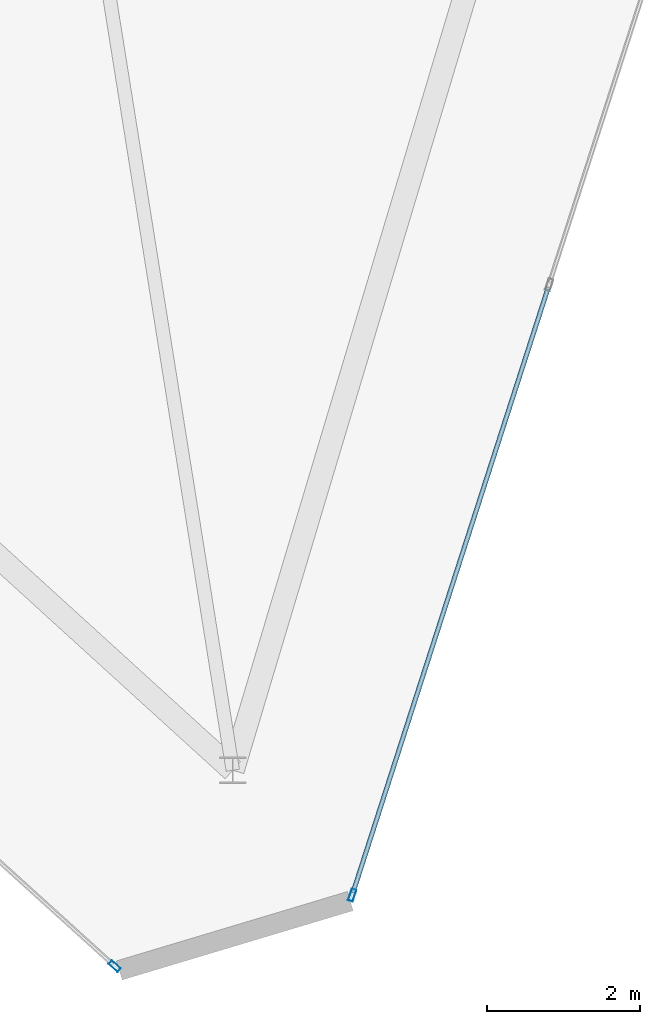
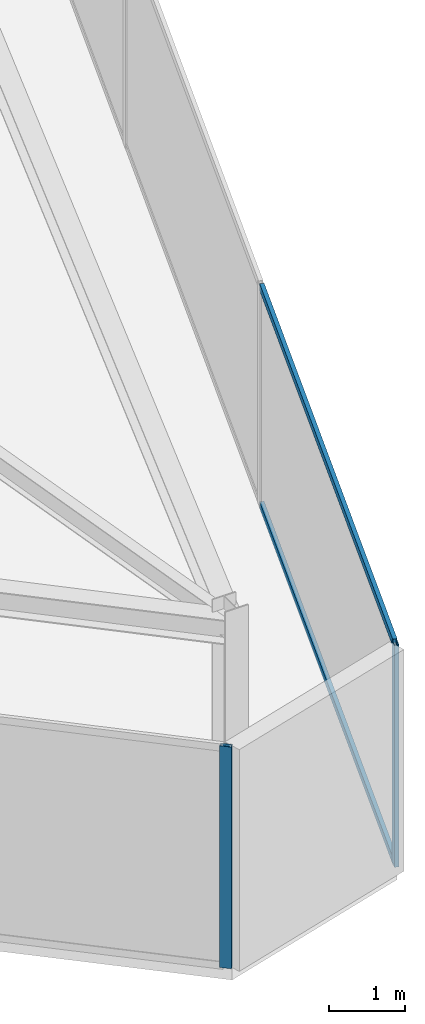
# One storey, part 5 of 15: 4 members, 2 elements without a shape of their own.
"""IFC4 building model written with IfcOpenShell, lengths in metres."""

from ifc_helpers import new_model, si_unit, direction, frame, origin, origin_2d, place, context, subcontext, project, spatial, hollow_rectangle, extrude, material, layer, layer_set, material_profile, profile_set, type_object, element, aggregate, save


model = new_model("IFC4")

# Units and contexts
model_context = context("Model", 3, precision=1e-05, world=origin(), true_north=direction((0.0, 1.0)))
body_context = subcontext(model_context, "Body", "Model", "MODEL_VIEW")
ifc_project = project(units=[si_unit("LENGTHUNIT", "METRE"), si_unit("AREAUNIT", "SQUARE_METRE"), si_unit("VOLUMEUNIT", "CUBIC_METRE"), si_unit("PLANEANGLEUNIT", "RADIAN"), si_unit("MASSUNIT", "GRAM", prefix="KILO")], contexts=[model_context])

# Site, building, storey
site_placement = place(None, origin())
site = spatial("IfcSite", under=ifc_project, at=site_placement, CompositionType="ELEMENT")
building_placement = place(site_placement, origin())
building = spatial("IfcBuilding", under=site, at=building_placement, Name="Qianvela Tower", CompositionType="ELEMENT")
storey_placement = place(building_placement, frame((0.0, 0.0, 360.050048828125)))
storey = spatial("IfcBuildingStorey", under=building, at=storey_placement, Name="L93", CompositionType="ELEMENT", Elevation=360.050048828125)

# Curtain wall, member
ifc_material_1 = material(Name="Anodised Architectural Aluminium and Low-E Glass", Category="aluminium")
ifc_layer = layer(ifc_material_1, 0.159912109375)
ifc_layer_set = layer_set([ifc_layer], Name="Anodised Architectural Aluminium and Low-E Glass")
curtain_wall_type = type_object("IfcCurtainWallType", Name="CW-CROWN", PredefinedType="USERDEFINED", material=ifc_layer_set)
curtain_wall_1_placement = place(storey_placement, origin())
curtain_wall_1 = element("IfcCurtainWall", 1, at=curtain_wall_1_placement, inside=storey, type_object=curtain_wall_type, Name="L93 CW-CROWN Curtain Wall 04", ObjectType="CURTAIN_WALL_SYSTEM", PredefinedType="USERDEFINED")
ifc_material_2 = material(Name="Anodised Architectural Aluminium 6063-T6", Category="aluminium")
ifc_material_profile_1 = material_profile(ifc_material_2, hollow_rectangle(XDim=0.06494140625, YDim=0.159912109375, WallThickness=0.0048828125, at=origin_2d()), Name="ALU-MULL-65x160")
ifc_profile_set_1 = profile_set([ifc_material_profile_1], Name="Anodised Architectural Aluminium 6063-T6")
member_type_1 = type_object("IfcMemberType", Name="CW-CROWN-MULL", PredefinedType="MULLION", material=ifc_profile_set_1)
member_1_placement = place(storey_placement, frame((39.060546875, 7.466552734375, 0.0), z_axis=(0.0, 0.0, 1.0), x_axis=(0.671200977074, 0.741275420053, 0.0)))
member_1 = element("IfcMember", 2, at=member_1_placement, type_object=member_type_1, Name="CW-8 mullion 4", PredefinedType="MULLION", context=body_context, shape_type="SweptSolid", body=[
    extrude(hollow_rectangle(XDim=0.06494140625, YDim=0.159912109375, WallThickness=0.0048828125, at=origin_2d()), origin(), (0.0, 0.0, 1.0), 3.550048828125),
])
aggregate(curtain_wall_1, [member_1])

# Curtain wall, members
curtain_wall_2_placement = place(storey_placement, origin())
curtain_wall_2 = element("IfcCurtainWall", 3, at=curtain_wall_2_placement, inside=storey, type_object=curtain_wall_type, Name="L93 CW-CROWN Curtain Wall 06", ObjectType="CURTAIN_WALL_SYSTEM", PredefinedType="USERDEFINED")
member_2_placement = place(storey_placement, frame((42.16455078125, 8.39501953125, 0.0), z_axis=(0.0, 0.0, 1.0), x_axis=(-0.951691135027, 0.307056971117, 0.0)))
member_2 = element("IfcMember", 4, at=member_2_placement, type_object=member_type_1, Name="CW-8 mullion 1", PredefinedType="MULLION", context=body_context, shape_type="SweptSolid", body=[
    extrude(hollow_rectangle(XDim=0.06494140625, YDim=0.159912109375, WallThickness=0.0048828125, at=origin_2d()), origin(), (0.0, 0.0, 1.0), 3.550048828125),
])
ifc_material_3 = material(Name="Anodised Architectural Aluminium 6063-T6", Category="aluminium")
ifc_material_profile_2 = material_profile(ifc_material_3, hollow_rectangle(XDim=0.06005859375, YDim=0.114990234375, WallThickness=0.00390625, at=origin_2d()), Name="ALU-TRAN-60x115")
ifc_profile_set_2 = profile_set([ifc_material_profile_2], Name="Anodised Architectural Aluminium 6063-T6")
member_type_2 = type_object("IfcMemberType", Name="CW-CROWN-TRAN", PredefinedType="USERDEFINED", material=ifc_profile_set_2)
member_3_placement = place(storey_placement, frame((42.174560546875, 8.426025390625, 0.030029296875), z_axis=(0.307067991406, 0.951687579332, 0.0), x_axis=(-0.951687579332, 0.307067991406, 0.0)))
member_3 = element("IfcMember", 5, at=member_3_placement, type_object=member_type_2, Name="CW-8 transom 1.1", ObjectType="TRANSOM", PredefinedType="USERDEFINED", context=body_context, shape_type="SweptSolid", body=[
    extrude(hollow_rectangle(XDim=0.06005859375, YDim=0.114990234375, WallThickness=0.00390625, at=origin_2d()), origin(), (0.0, 0.0, 1.0), 8.313232421875),
])
member_4_placement = place(storey_placement, frame((42.174560546875, 8.426025390625, 3.52001953125), z_axis=(0.307067991406, 0.951687579332, 0.0), x_axis=(-0.951687579332, 0.307067991406, 0.0)))
member_4 = element("IfcMember", 6, at=member_4_placement, type_object=member_type_2, Name="CW-8 transom 1.2", ObjectType="TRANSOM", PredefinedType="USERDEFINED", context=body_context, shape_type="SweptSolid", body=[
    extrude(hollow_rectangle(XDim=0.06005859375, YDim=0.114990234375, WallThickness=0.00390625, at=origin_2d()), origin(), (0.0, 0.0, 1.0), 8.313232421875),
])
aggregate(curtain_wall_2, [member_2, member_3, member_4])

save(model, "model.ifc")
